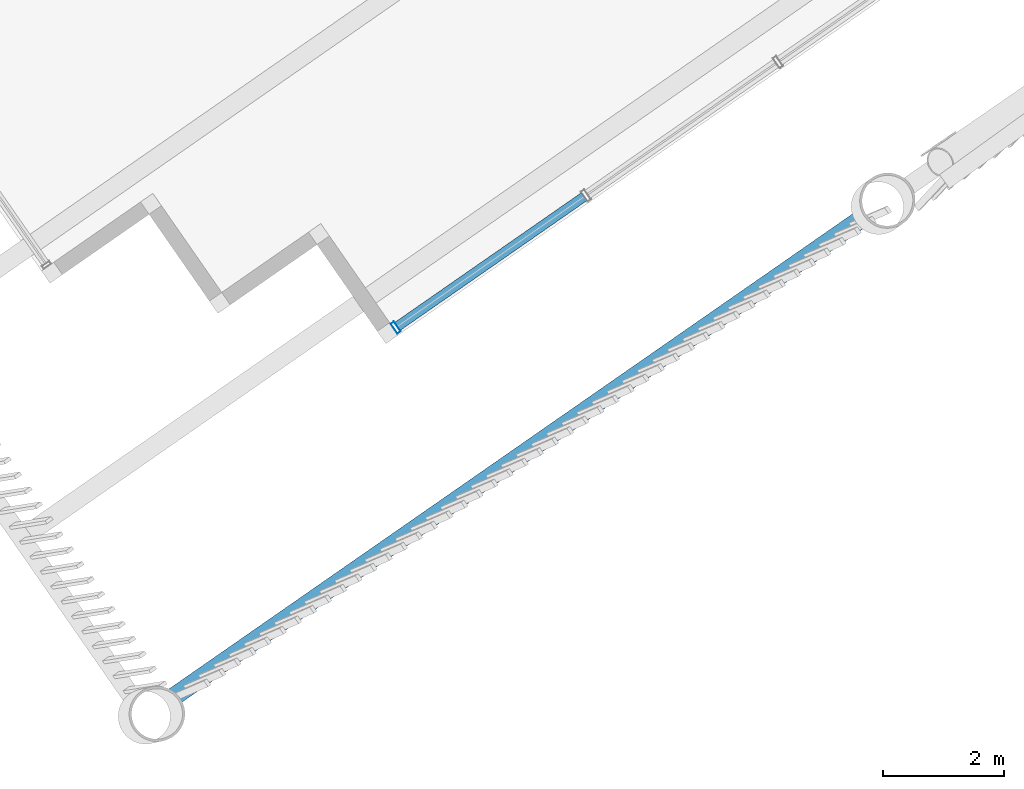
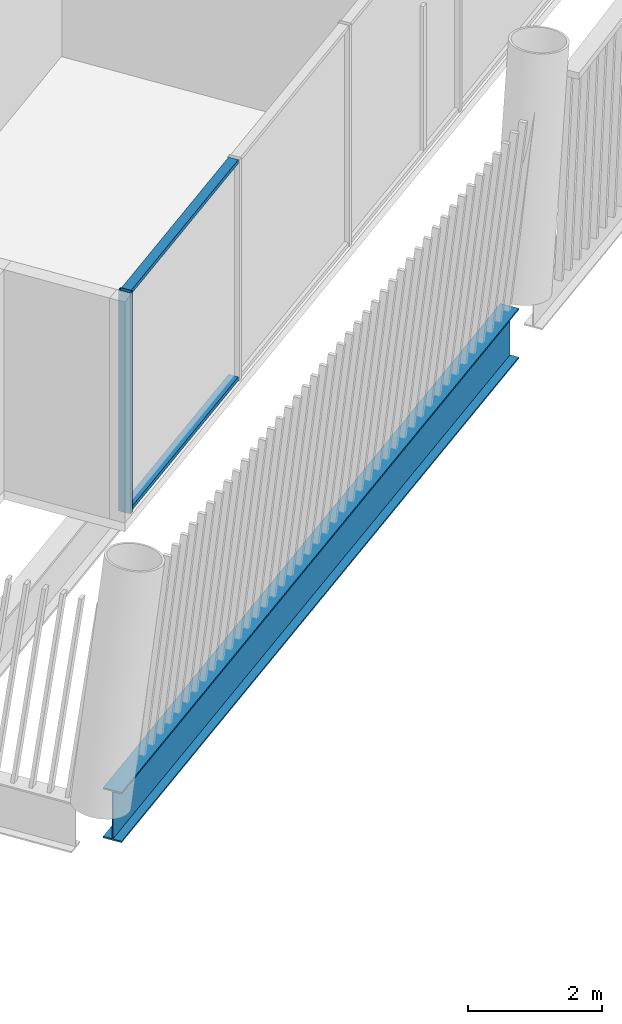
# One storey, part 9 of 33: 3 members, 1 beam, 1 element without a shape of its own.
"""IFC4 building model written with IfcOpenShell, lengths in metres."""

from ifc_helpers import new_model, si_unit, direction, frame, origin, origin_2d, place, context, subcontext, project, spatial, hollow_rectangle, i_section, extrude, material, layer, layer_set, material_profile, profile_set, type_object, element, aggregate, save


model = new_model("IFC4")

# Units and contexts
model_context = context("Model", 3, precision=1e-05, world=origin(), true_north=direction((0.0, 1.0)))
body_context = subcontext(model_context, "Body", "Model", "MODEL_VIEW")
ifc_project = project(units=[si_unit("LENGTHUNIT", "METRE"), si_unit("AREAUNIT", "SQUARE_METRE"), si_unit("VOLUMEUNIT", "CUBIC_METRE"), si_unit("PLANEANGLEUNIT", "RADIAN"), si_unit("MASSUNIT", "GRAM", prefix="KILO")], contexts=[model_context])

# Site, building, storey
site_placement = place(None, origin())
site = spatial("IfcSite", under=ifc_project, at=site_placement, CompositionType="ELEMENT")
building_placement = place(site_placement, origin())
building = spatial("IfcBuilding", under=site, at=building_placement, Name="Tarsis Ring Headquarters", CompositionType="ELEMENT")
storey_placement = place(building_placement, frame((0.0, 0.0, 369.199951171875)))
storey = spatial("IfcBuildingStorey", under=building, at=storey_placement, Name="L87", CompositionType="ELEMENT", Elevation=369.199951171875)

# Curtain wall, members
ifc_material_1 = material(Name="Aluminium curtain wall", Category="aluminium")
ifc_layer = layer(ifc_material_1, 0.199951171875)
ifc_layer_set = layer_set([ifc_layer], Name="Curtain wall executive tip")
curtain_wall_type = type_object("IfcCurtainWallType", Name="Curtain wall executive tip", PredefinedType="NOTDEFINED", material=ifc_layer_set)
curtain_wall_placement = place(storey_placement, origin())
curtain_wall = element("IfcCurtainWall", 1, at=curtain_wall_placement, inside=storey, type_object=curtain_wall_type, Name="Curtain wall L87-11", PredefinedType="NOTDEFINED")
ifc_material_2 = material(Name="Aluminium mullion", Category="aluminium")
ifc_material_profile_1 = material_profile(ifc_material_2, hollow_rectangle(XDim=0.199951171875, YDim=0.070068359375, WallThickness=0.0048828125, at=origin_2d()), Name="RHS 200x70x5")
ifc_profile_set_1 = profile_set([ifc_material_profile_1], Name="Aluminium mullion")
member_type_1 = type_object("IfcMemberType", Name="Curtain wall mullion executive tip RHS 200x70x5", PredefinedType="MULLION", material=ifc_profile_set_1)
member_1_placement = place(storey_placement, frame((11.8564453125, -30.5771484375, 0.0), z_axis=(0.0, 0.0, 1.0), x_axis=(-0.57071354686, 0.821149223607, 0.0)))
member_1 = element("IfcMember", 2, at=member_1_placement, type_object=member_type_1, Name="CW-E mullion 1", PredefinedType="MULLION", context=body_context, shape_type="SweptSolid", body=[
    extrude(hollow_rectangle(XDim=0.199951171875, YDim=0.070068359375, WallThickness=0.0048828125, at=origin_2d()), origin(), (0.0, 0.0, 1.0), 4.0400390625),
])
ifc_material_3 = material(Name="Aluminium transom", Category="aluminium")
ifc_material_profile_2 = material_profile(ifc_material_3, hollow_rectangle(XDim=0.159912109375, YDim=0.070068359375, WallThickness=0.0048828125, at=origin_2d()), Name="RHS 160x70x5")
ifc_profile_set_2 = profile_set([ifc_material_profile_2], Name="Aluminium transom")
member_type_2 = type_object("IfcMemberType", Name="Curtain wall transom executive tip RHS 160x70x5", PredefinedType="USERDEFINED", material=ifc_profile_set_2)
member_2_placement = place(storey_placement, frame((11.885009765625, -30.55712890625, 0.03515625), z_axis=(0.821144037012, 0.570721009321, 0.0), x_axis=(-0.570721009321, 0.821144037012, 0.0)))
member_2 = element("IfcMember", 3, at=member_2_placement, type_object=member_type_2, Name="CW-E transom 1.1", ObjectType="TRANSOM", PredefinedType="USERDEFINED", context=body_context, shape_type="SweptSolid", body=[
    extrude(hollow_rectangle(XDim=0.159912109375, YDim=0.070068359375, WallThickness=0.0048828125, at=origin_2d()), origin(), (0.0, 0.0, 1.0), 3.77001953125),
])
member_3_placement = place(storey_placement, frame((11.885009765625, -30.55712890625, 4.005126953125), z_axis=(0.821144037012, 0.570721009321, 0.0), x_axis=(-0.570721009321, 0.821144037012, 0.0)))
member_3 = element("IfcMember", 4, at=member_3_placement, type_object=member_type_2, Name="CW-E transom 1.2", ObjectType="TRANSOM", PredefinedType="USERDEFINED", context=body_context, shape_type="SweptSolid", body=[
    extrude(hollow_rectangle(XDim=0.159912109375, YDim=0.070068359375, WallThickness=0.0048828125, at=origin_2d()), origin(), (0.0, 0.0, 1.0), 3.77001953125),
])
aggregate(curtain_wall, [member_1, member_2, member_3])

# Beam
ifc_material_4 = material(Name="Structural steel S355", Category="steel")
ifc_material_profile_3 = material_profile(ifc_material_4, i_section(OverallWidth=0.3046875, OverallDepth=0.91943359375, WebThickness=0.017333984375, FlangeThickness=0.02783203125, at=origin_2d()), Name="W36x170")
ifc_profile_set_3 = profile_set([ifc_material_profile_3], Name="Structural steel S355")
beam_type = type_object("IfcBeamType", Name="XG Ring girder W36x170", PredefinedType="BEAM", material=ifc_profile_set_3)
beam_placement = place(storey_placement, frame((8.045654296875, -36.78759765625, -0.459716796875), z_axis=(0.821153270606, 0.570707723948, 0.0), x_axis=(-0.570707723948, 0.821153270606, 0.0)))
element("IfcBeam", 5, at=beam_placement, inside=storey, type_object=beam_type, Name="Ring girder XG4", PredefinedType="BEAM", context=body_context, shape_type="SweptSolid", body=[
    extrude(i_section(OverallWidth=0.3046875, OverallDepth=0.91943359375, WebThickness=0.017333984375, FlangeThickness=0.02783203125, at=origin_2d()), origin(), (0.0, 0.0, 1.0), 13.97705078125),
])

save(model, "model.ifc")
